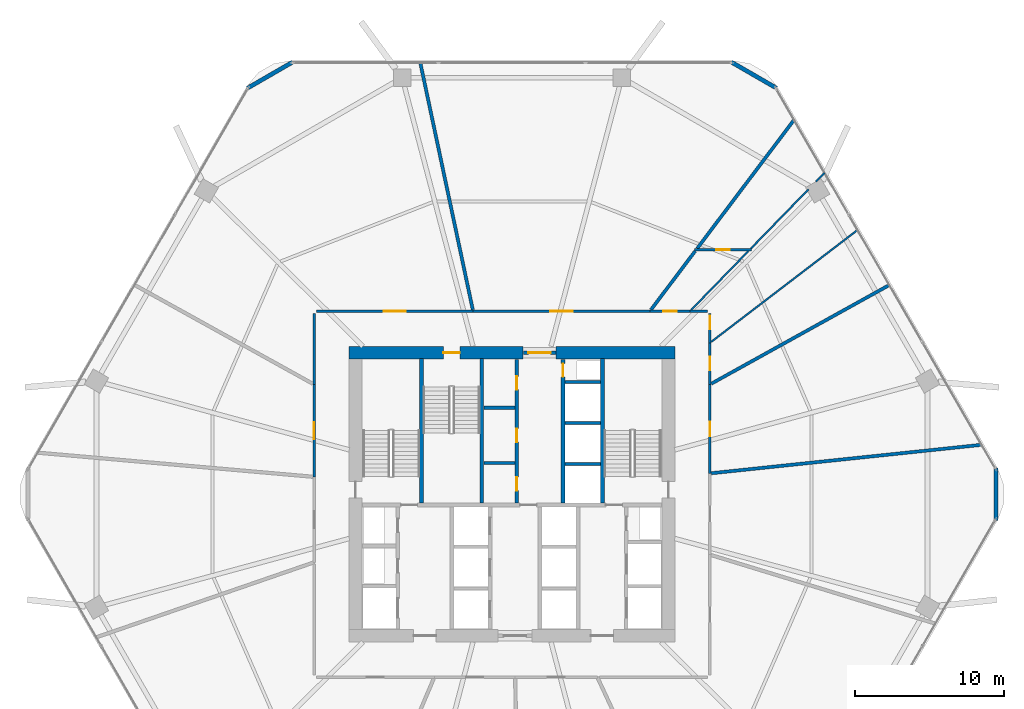
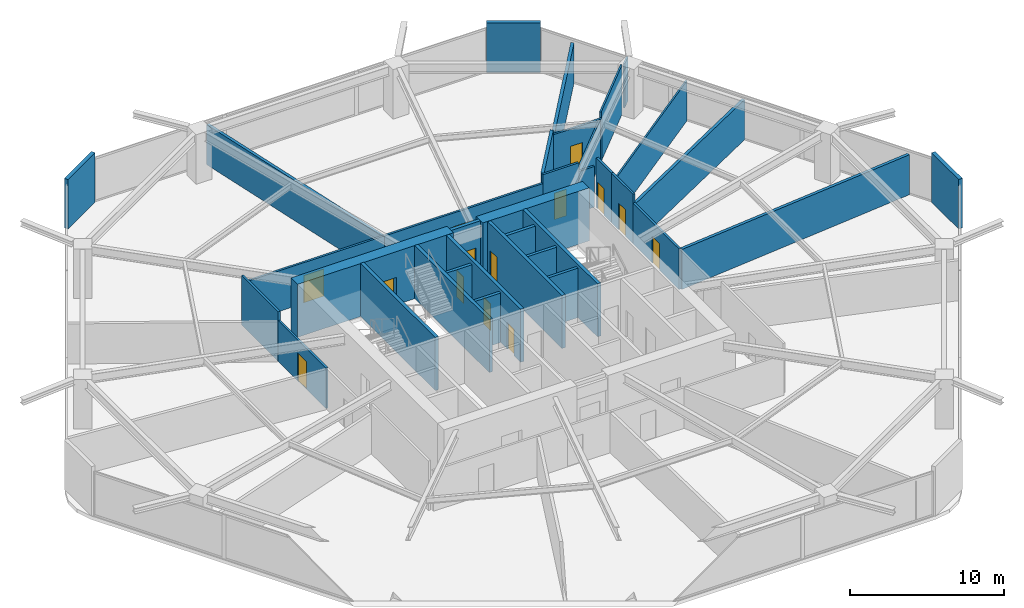
# One storey, part 23 of 25: 35 walls, 14 doors, 14 openings.
"""IFC4 building model written with IfcOpenShell, lengths in metres."""

import ifcopenshell
import ifcopenshell.guid

model = None  # the IFC model being written
_history = None  # IfcOwnerHistory: only IFC2X3 demands one
_inside = {}  # id of a spatial element -> (the spatial element, [elements in it])
_under = {}  # id of a project, library or spatial element -> (it, [spatial elements below it])
_declared = {}  # id of a project -> (the project, [libraries it declares])
_typed = {}  # id of a type object -> (the type object, [elements of that type])
_made_of = {}  # id of a material, layer set ... -> (it, [elements and type objects made of it])


def new_model(schema):
    """Start an empty IFC model of exactly this schema.

    Asked for "IFC4X3", IfcOpenShell would pick the latest addendum, in which some entities
    have other attributes; the version numbers below select the first issue.
    IFC2X3 requires an IfcOwnerHistory on every rooted entity: one is made here for all.
    """
    global model, _history
    if schema == "IFC4X3":
        model = ifcopenshell.file(schema_version=(4, 3, 0, 0))
    else:
        model = ifcopenshell.file(schema=schema)
    _inside.clear()
    _under.clear()
    _declared.clear()
    _typed.clear()
    _made_of.clear()
    _history = None
    if model.schema == "IFC2X3":
        org = make("IfcOrganization", Name="unknown")
        user = make(
            "IfcPersonAndOrganization",
            ThePerson=make("IfcPerson", FamilyName="unknown"),
            TheOrganization=org,
        )
        app = make(
            "IfcApplication",
            ApplicationDeveloper=org,
            Version="unknown",
            ApplicationFullName="unknown",
            ApplicationIdentifier="unknown",
        )
        _history = make(
            "IfcOwnerHistory",
            OwningUser=user,
            OwningApplication=app,
            ChangeAction="ADDED",
            CreationDate=0,
        )
    return model


def make(cls, **values):
    """One entity of the class cls with the attributes given. An attribute that is None is left unset."""
    return model.create_entity(
        cls, **{name: value for name, value in values.items() if value is not None}
    )


def rooted(cls, **values):
    """An entity with a GlobalId (a new one), such as an element, a storey or a relation."""
    return make(cls, GlobalId=ifcopenshell.guid.new(), OwnerHistory=_history, **values)


def si_unit(unit_type, name, prefix=None):
    """IfcSIUnit, for example si_unit("LENGTHUNIT", "METRE", prefix="MILLI")."""
    return make("IfcSIUnit", UnitType=unit_type, Prefix=prefix, Name=name)


def assignment(units):
    """IfcUnitAssignment: the units of a project."""
    return None if units is None else make("IfcUnitAssignment", Units=units)


def point(xyz):
    """IfcCartesianPoint."""
    return None if xyz is None else make("IfcCartesianPoint", Coordinates=xyz)


def direction(xyz):
    """IfcDirection."""
    return None if xyz is None else make("IfcDirection", DirectionRatios=xyz)


def frame(location, z_axis=None, x_axis=None):
    """IfcAxis2Placement3D, a coordinate frame: its origin and axes. An axis left out is left unset."""
    return make(
        "IfcAxis2Placement3D",
        Location=point(location),
        Axis=direction(z_axis),
        RefDirection=direction(x_axis),
    )


def frame_2d(location, x_axis=None):
    """IfcAxis2Placement2D, a coordinate frame in the plane: its origin and x axis."""
    return make(
        "IfcAxis2Placement2D", Location=point(location), RefDirection=direction(x_axis)
    )


def origin():
    """The frame at (0, 0, 0) with its axes left unset."""
    return frame((0.0, 0.0, 0.0))


def place(relative_to, where):
    """IfcLocalPlacement: puts the frame where relative to a parent placement (None: the world)."""
    return make(
        "IfcLocalPlacement", PlacementRelTo=relative_to, RelativePlacement=where
    )


def context(
    kind, dimensions, precision=None, world=None, true_north=None, identifier=None
):
    """IfcGeometricRepresentationContext, for example the 3D "Model" context."""
    return make(
        "IfcGeometricRepresentationContext",
        ContextIdentifier=identifier,
        ContextType=kind,
        CoordinateSpaceDimension=dimensions,
        Precision=precision,
        WorldCoordinateSystem=world,
        TrueNorth=true_north,
    )


def subcontext(parent, identifier, kind, view, scale=None):
    """IfcGeometricRepresentationSubContext, for example "Body" below "Model"."""
    return make(
        "IfcGeometricRepresentationSubContext",
        ContextIdentifier=identifier,
        ContextType=kind,
        ParentContext=parent,
        TargetScale=scale,
        TargetView=view,
    )


def project(units=None, contexts=None):
    """IfcProject with its units and contexts."""
    return rooted(
        "IfcProject",
        Name="project",
        RepresentationContexts=contexts,
        UnitsInContext=assignment(units),
    )


def spatial(cls, under=None, at=None, **own):
    """A site, building, storey or space (cls), placed at a placement, below another one or the project."""
    s = rooted(cls, ObjectPlacement=at, **own)
    if under is not None:
        _under.setdefault(under.id(), (under, []))[1].append(s)
    return s


def profile(cls, at=None, kind="AREA", **sizes):
    """A parametric profile (cls). Its sizes go by their IFC names, for example OverallWidth=200.0."""
    return make(cls, ProfileType=kind, Position=at, **sizes)


def rectangle(**sizes):
    """IfcRectangleProfileDef."""
    return profile("IfcRectangleProfileDef", **sizes)


def extrude(swept, where, along, depth):
    """IfcExtrudedAreaSolid: the profile swept, set in the frame where, extruded along a direction by depth."""
    return make(
        "IfcExtrudedAreaSolid",
        SweptArea=swept,
        Position=where,
        ExtrudedDirection=direction(along),
        Depth=depth,
    )


def shape(context_of_items, identifier, shape_type, items):
    """IfcShapeRepresentation: the items that make up one representation, for example the "Body"."""
    return make(
        "IfcShapeRepresentation",
        ContextOfItems=context_of_items,
        RepresentationIdentifier=identifier,
        RepresentationType=shape_type,
        Items=items,
    )


def material(Name=None, Category=None):
    """IfcMaterial."""
    return make("IfcMaterial", Name=Name, Category=Category)


def layer(
    of_material, thickness, ventilated=None, Name=None, Category=None, Priority=None
):
    """IfcMaterialLayer: one layer of a wall or slab, of a material (None: an air gap)."""
    return make(
        "IfcMaterialLayer",
        Material=of_material,
        LayerThickness=thickness,
        IsVentilated=ventilated,
        Name=Name,
        Category=Category,
        Priority=Priority,
    )


def layer_set(layers, Name=None):
    """IfcMaterialLayerSet."""
    return make("IfcMaterialLayerSet", MaterialLayers=layers, LayerSetName=Name)


def made_of(thing, what):
    """Note that an element or type object is made of a material, layer set ...; save() writes the relation."""
    if what is not None:
        _made_of.setdefault(what.id(), (what, []))[1].append(thing)
    return thing


def type_object(cls, material=None, **own):
    """A type object (cls), such as IfcWallType, which elements share."""
    return made_of(rooted(cls, **own), material)


def element(
    cls,
    number,
    at=None,
    inside=None,
    cuts=None,
    type_object=None,
    material=None,
    context=None,
    identifier="Body",
    shape_type=None,
    held_by="IfcProductDefinitionShape",
    body=None,
    shapes=None,
    **own,
):
    """One element of the class cls, such as IfcWall. Its Tag is "e" and its number.

    at: its placement. inside: the storey or other place that contains it. cuts: it is an
    opening in that element (IfcRelVoidsElement). A single representation is given by context,
    identifier, shape_type and body (its items); several are given by shapes. held_by: the class
    of the entity that holds the representations. save() writes the other relations.
    """
    e = rooted(cls, Tag="e%d" % number, ObjectPlacement=at, **own)
    if body is not None:
        shapes = [shape(context, identifier, shape_type, body)]
    if shapes is not None:
        e.Representation = make(held_by, Representations=shapes)
    if inside is not None:
        _inside.setdefault(inside.id(), (inside, []))[1].append(e)
    if cuts is not None:
        rooted(
            "IfcRelVoidsElement", RelatingBuildingElement=cuts, RelatedOpeningElement=e
        )
    if type_object is not None:
        _typed.setdefault(type_object.id(), (type_object, []))[1].append(e)
    return made_of(e, material)


def fill(opening, filler):
    """IfcRelFillsElement: the door or window that sits in an opening."""
    return rooted(
        "IfcRelFillsElement",
        RelatingOpeningElement=opening,
        RelatedBuildingElement=filler,
    )


def aggregate(whole, parts):
    """IfcRelAggregates: a whole, such as a stair, and the parts it consists of."""
    return rooted("IfcRelAggregates", RelatingObject=whole, RelatedObjects=parts)


def save(model, path):
    """Write the relations noted so far, then the file.

    IfcRelAggregates (storeys below a building ...), IfcRelContainedInSpatialStructure (elements
    in a storey), IfcRelDefinesByType, IfcRelAssociatesMaterial and IfcRelDeclares: one each for
    every whole, place, type object, material and project.
    """
    for whole, parts in _under.values():
        aggregate(whole, parts)
    for where, things in _inside.values():
        rooted(
            "IfcRelContainedInSpatialStructure",
            RelatedElements=things,
            RelatingStructure=where,
        )
    for kind, things in _typed.values():
        rooted("IfcRelDefinesByType", RelatedObjects=things, RelatingType=kind)
    for what, things in _made_of.values():
        rooted("IfcRelAssociatesMaterial", RelatedObjects=things, RelatingMaterial=what)
    for by, libraries in _declared.values():
        rooted("IfcRelDeclares", RelatingContext=by, RelatedDefinitions=libraries)
    model.write(path)


model = new_model("IFC4")

# Units and contexts
model_context = context("Model", 3, precision=1e-05, world=origin(), true_north=direction((0.0, 1.0)))
body_context = subcontext(model_context, "Body", "Model", "MODEL_VIEW")
ifc_project = project(units=[si_unit("LENGTHUNIT", "METRE"), si_unit("AREAUNIT", "SQUARE_METRE"), si_unit("VOLUMEUNIT", "CUBIC_METRE"), si_unit("PLANEANGLEUNIT", "RADIAN"), si_unit("MASSUNIT", "GRAM", prefix="KILO")], contexts=[model_context])

# Site, building, storey
site_placement = place(None, origin())
site = spatial("IfcSite", under=ifc_project, at=site_placement, CompositionType="ELEMENT")
building_placement = place(site_placement, origin())
building = spatial("IfcBuilding", under=site, at=building_placement, Name="Zuhravey Tower", CompositionType="ELEMENT")
storey_placement = place(building_placement, frame((0.0, 0.0, 54.0)))
storey = spatial("IfcBuildingStorey", under=building, at=storey_placement, Name="L13", CompositionType="ELEMENT", Elevation=54.0)

# Wall
ifc_material_1 = material(Name="Concrete C60/75", Category="concrete")
ifc_layer_1 = layer(ifc_material_1, 0.85009765625)
ifc_layer_set_1 = layer_set([ifc_layer_1], Name="Concrete C60/75")
wall_type_1 = type_object("IfcWallType", Name="Core Shear Wall 850", PredefinedType="SHEAR", material=ifc_layer_set_1)
wall_1_placement = place(storey_placement, frame((46.925048828125, 41.5, 0.0), z_axis=(0.0, 0.0, 1.0), x_axis=(-1.0, 0.0, 0.0)))
element("IfcWall", 1, at=wall_1_placement, inside=storey, type_object=wall_type_1, Name="L13 North-East Core Shear Wall CW85", PredefinedType="SHEAR", context=body_context, shape_type="SweptSolid", body=[
    extrude(rectangle(XDim=7.97509765625, YDim=0.85009765625, at=frame_2d((3.987548828125, 0.0))), origin(), (0.0, 0.0, 1.0), 4.199951171875),
])

# Wall, opening, door
wall_2_placement = place(storey_placement, frame((36.75, 41.5, 0.0), z_axis=(0.0, 0.0, 1.0), x_axis=(-1.0, 0.0, 0.0)))
wall_2 = element("IfcWall", 2, at=wall_2_placement, inside=storey, type_object=wall_type_1, Name="L13 North-West Core Shear Wall CW85", PredefinedType="SHEAR", context=body_context, shape_type="SweptSolid", body=[
    extrude(rectangle(XDim=11.675048828125, YDim=0.85009765625, at=frame_2d((5.83740234375, 0.0))), origin(), (0.0, 0.0, 1.0), 4.199951171875),
])
opening_1_placement = place(wall_2_placement, frame((4.25, 0.0, 0.0)))
opening_1 = element("IfcOpeningElement", 3, at=opening_1_placement, cuts=wall_2, Name="Opening STD1", PredefinedType="OPENING", context=body_context, shape_type="SweptSolid", body=[
    extrude(rectangle(XDim=1.10009765625, YDim=2.14990234375, at=frame_2d((0.550048828125, 1.074951171875))), frame((0.0, 0.43701171875, 0.0), z_axis=(0.0, -1.0, 0.0), x_axis=(1.0, 0.0, 0.0)), (0.0, 0.0, 1.0), 0.8740234375),
])
ifc_material_2 = material(Name="Galvanised fire-rated steel leaf", Category="steel")
door_type_1 = type_object("IfcDoorType", Name="Protected Stair Fire Door 1100x2150", OperationType="NOTDEFINED", PredefinedType="USERDEFINED", material=ifc_material_2)
door_1_placement = place(opening_1_placement, origin())
door_1 = element("IfcDoor", 4, at=door_1_placement, inside=storey, type_object=door_type_1, Name="L13 Stair ST3 Door", ObjectType="EXITDOOR", OperationType="SINGLE_SWING_LEFT", OverallHeight=2.14990234375, OverallWidth=1.10009765625, PredefinedType="USERDEFINED", context=body_context, shape_type="SweptSolid", body=[
    extrude(rectangle(XDim=1.10009765625, YDim=2.14990234375, at=frame_2d((0.550048828125, 1.074951171875))), frame((0.0, 0.02490234375, 0.0), z_axis=(0.0, -1.0, 0.0), x_axis=(1.0, 0.0, 0.0)), (0.0, 0.0, 1.0), 0.050048828125),
])
fill(opening_1, door_1)

ifc_material_3 = material(Name="Gypsum fire-rated stud partition")
ifc_layer_2 = layer(ifc_material_3, 0.159912109375)
ifc_layer_set_2 = layer_set([ifc_layer_2], Name="Gypsum fire-rated stud partition")
wall_type_2 = type_object("IfcWallType", Name="Corridor Fire Partition 160", PredefinedType="PARTITIONING", material=ifc_layer_set_2)
wall_3_placement = place(storey_placement, frame((49.284912109375, 39.364013671875, 0.0), z_axis=(0.0, 0.0, 1.0), x_axis=(0.0, 1.0, 0.0)))
wall_3 = element("IfcWall", 5, at=wall_3_placement, inside=storey, type_object=wall_type_2, Name="L13 IW16 Partition 019", PredefinedType="PARTITIONING", context=body_context, shape_type="SweptSolid", body=[
    extrude(rectangle(XDim=2.79296875, YDim=0.159912109375, at=frame_2d((1.396484375, 0.0))), origin(), (0.0, 0.0, 1.0), 3.919921875),
])
opening_2_placement = place(wall_3_placement, frame((0.946533203125, 0.0, 0.0)))
opening_2 = element("IfcOpeningElement", 6, at=opening_2_placement, cuts=wall_3, Name="Opening RSD1", PredefinedType="OPENING", context=body_context, shape_type="SweptSolid", body=[
    extrude(rectangle(XDim=0.89990234375, YDim=2.10009765625, at=frame_2d((0.449951171875, 1.050048828125))), frame((0.0, 0.092041015625, 0.0), z_axis=(0.0, -1.0, 0.0), x_axis=(1.0, 0.0, 0.0)), (0.0, 0.0, 1.0), 0.183837890625),
])
ifc_material_4 = material(Name="Galvanised fire-rated steel access leaf", Category="steel")
door_type_2 = type_object("IfcDoorType", Name="Riser & Shaft Access Fire Door 900x2100", OperationType="NOTDEFINED", PredefinedType="DOOR", material=ifc_material_4)
door_2_placement = place(opening_2_placement, frame((0.89990234375, 0.0, 0.0), z_axis=(0.0, 0.0, 1.0), x_axis=(-1.0, 0.0, 0.0)))
door_2 = element("IfcDoor", 7, at=door_2_placement, inside=storey, type_object=door_type_2, Name="L13 Door 019.1", OperationType="SINGLE_SWING_RIGHT", OverallHeight=2.10009765625, OverallWidth=0.89990234375, PredefinedType="DOOR", context=body_context, shape_type="SweptSolid", body=[
    extrude(rectangle(XDim=0.89990234375, YDim=2.10009765625, at=frame_2d((0.449951171875, 1.050048828125))), frame((0.0, 0.02490234375, 0.0), z_axis=(0.0, -1.0, 0.0), x_axis=(1.0, 0.0, 0.0)), (0.0, 0.0, 1.0), 0.050048828125),
])
fill(opening_2, door_2)

wall_4_placement = place(storey_placement, frame((49.284912109375, 42.156982421875, 0.0), z_axis=(0.0, 0.0, 1.0), x_axis=(0.0, 1.0, 0.0)))
wall_4 = element("IfcWall", 8, at=wall_4_placement, inside=storey, type_object=wall_type_2, Name="L13 IW16 Partition 020", PredefinedType="PARTITIONING", context=body_context, shape_type="SweptSolid", body=[
    extrude(rectangle(XDim=1.968017578125, YDim=0.159912109375, at=frame_2d((0.98388671875, 0.0))), origin(), (0.0, 0.0, 1.0), 3.919921875),
])
opening_3_placement = place(wall_4_placement, frame((0.927978515625, 0.0, 0.0)))
opening_3 = element("IfcOpeningElement", 9, at=opening_3_placement, cuts=wall_4, Name="Opening RSD1", PredefinedType="OPENING", context=body_context, shape_type="SweptSolid", body=[
    extrude(rectangle(XDim=0.89990234375, YDim=2.10009765625, at=frame_2d((0.449951171875, 1.050048828125))), frame((0.0, 0.092041015625, 0.0), z_axis=(0.0, -1.0, 0.0), x_axis=(1.0, 0.0, 0.0)), (0.0, 0.0, 1.0), 0.183837890625),
])
door_3_placement = place(opening_3_placement, frame((0.89990234375, 0.0, 0.0), z_axis=(0.0, 0.0, 1.0), x_axis=(-1.0, 0.0, 0.0)))
door_3 = element("IfcDoor", 10, at=door_3_placement, inside=storey, type_object=door_type_2, Name="L13 Door 020.1", OperationType="SINGLE_SWING_LEFT", OverallHeight=2.10009765625, OverallWidth=0.89990234375, PredefinedType="DOOR", context=body_context, shape_type="SweptSolid", body=[
    extrude(rectangle(XDim=0.89990234375, YDim=2.10009765625, at=frame_2d((0.449951171875, 1.050048828125))), frame((0.0, 0.02490234375, 0.0), z_axis=(0.0, -1.0, 0.0), x_axis=(1.0, 0.0, 0.0)), (0.0, 0.0, 1.0), 0.050048828125),
])
fill(opening_3, door_3)

wall_5_placement = place(storey_placement, frame((48.261962890625, 48.405029296875, 0.0), z_axis=(0.0, 0.0, 1.0), x_axis=(1.0, 0.0, 0.0)))
wall_5 = element("IfcWall", 11, at=wall_5_placement, inside=storey, type_object=wall_type_2, Name="L13 IW16 Partition 021", PredefinedType="PARTITIONING", context=body_context, shape_type="SweptSolid", body=[
    extrude(rectangle(XDim=3.802734375, YDim=0.159912109375, at=frame_2d((1.9013671875, 0.0))), origin(), (0.0, 0.0, 1.0), 3.469970703125),
])
opening_4_placement = place(wall_5_placement, frame((1.451416015625, 0.0, 0.0)))
opening_4 = element("IfcOpeningElement", 12, at=opening_4_placement, cuts=wall_5, Name="Opening RSD1", PredefinedType="OPENING", context=body_context, shape_type="SweptSolid", body=[
    extrude(rectangle(XDim=0.89990234375, YDim=2.10009765625, at=frame_2d((0.449951171875, 1.050048828125))), frame((0.0, 0.092041015625, 0.0), z_axis=(0.0, -1.0, 0.0), x_axis=(1.0, 0.0, 0.0)), (0.0, 0.0, 1.0), 0.183837890625),
])
door_4_placement = place(opening_4_placement, origin())
door_4 = element("IfcDoor", 13, at=door_4_placement, inside=storey, type_object=door_type_2, Name="L13 Door 021.1", OperationType="SINGLE_SWING_RIGHT", OverallHeight=2.10009765625, OverallWidth=0.89990234375, PredefinedType="DOOR", context=body_context, shape_type="SweptSolid", body=[
    extrude(rectangle(XDim=0.89990234375, YDim=2.10009765625, at=frame_2d((0.449951171875, 1.050048828125))), frame((0.0, 0.02490234375, 0.0), z_axis=(0.0, -1.0, 0.0), x_axis=(1.0, 0.0, 0.0)), (0.0, 0.0, 1.0), 0.050048828125),
])
fill(opening_4, door_4)

wall_6_placement = place(storey_placement, frame((47.946533203125, 44.284912109375, 0.0), z_axis=(0.0, 0.0, 1.0), x_axis=(-1.0, 0.0, 0.0)))
wall_6 = element("IfcWall", 14, at=wall_6_placement, inside=storey, type_object=wall_type_2, Name="L13 IW16 Partition 022", PredefinedType="PARTITIONING", context=body_context, shape_type="SweptSolid", body=[
    extrude(rectangle(XDim=2.689208984375, YDim=0.159912109375, at=frame_2d((1.3447265625, 0.0))), origin(), (0.0, 0.0, 1.0), 3.919921875),
])
opening_5_placement = place(wall_6_placement, frame((0.89453125, 0.0, 0.0)))
opening_5 = element("IfcOpeningElement", 15, at=opening_5_placement, cuts=wall_6, Name="Opening RSD1", PredefinedType="OPENING", context=body_context, shape_type="SweptSolid", body=[
    extrude(rectangle(XDim=0.89990234375, YDim=2.10009765625, at=frame_2d((0.449951171875, 1.050048828125))), frame((0.0, 0.092041015625, 0.0), z_axis=(0.0, -1.0, 0.0), x_axis=(1.0, 0.0, 0.0)), (0.0, 0.0, 1.0), 0.183837890625),
])
door_5_placement = place(opening_5_placement, frame((0.89990234375, 0.0, 0.0), z_axis=(0.0, 0.0, 1.0), x_axis=(-1.0, 0.0, 0.0)))
door_5 = element("IfcDoor", 16, at=door_5_placement, inside=storey, type_object=door_type_2, Name="L13 Door 022.1", OperationType="SINGLE_SWING_LEFT", OverallHeight=2.10009765625, OverallWidth=0.89990234375, PredefinedType="DOOR", context=body_context, shape_type="SweptSolid", body=[
    extrude(rectangle(XDim=0.89990234375, YDim=2.10009765625, at=frame_2d((0.449951171875, 1.050048828125))), frame((0.0, 0.02490234375, 0.0), z_axis=(0.0, -1.0, 0.0), x_axis=(1.0, 0.0, 0.0)), (0.0, 0.0, 1.0), 0.050048828125),
])
fill(opening_5, door_5)

wall_7_placement = place(storey_placement, frame((45.25732421875, 44.284912109375, 0.0), z_axis=(0.0, 0.0, 1.0), x_axis=(-1.0, 0.0, 0.0)))
wall_7 = element("IfcWall", 17, at=wall_7_placement, inside=storey, type_object=wall_type_2, Name="L13 IW16 Partition 023", PredefinedType="PARTITIONING", context=body_context, shape_type="SweptSolid", body=[
    extrude(rectangle(XDim=11.86865234375, YDim=0.159912109375, at=frame_2d((5.934326171875, 0.0))), origin(), (0.0, 0.0, 1.0), 3.219970703125),
])
opening_6_placement = place(wall_7_placement, frame((5.184326171875, 0.0, 0.0)))
opening_6 = element("IfcOpeningElement", 18, at=opening_6_placement, cuts=wall_7, Name="Opening FFD1", PredefinedType="OPENING", context=body_context, shape_type="SweptSolid", body=[
    extrude(rectangle(XDim=1.5, YDim=2.14990234375, at=frame_2d((0.75, 1.074951171875))), frame((0.0, 0.092041015625, 0.0), z_axis=(0.0, -1.0, 0.0), x_axis=(1.0, 0.0, 0.0)), (0.0, 0.0, 1.0), 0.183837890625),
])
door_type_3 = type_object("IfcDoorType", Name="Firefighting Lobby Double Door 1500x2150", OperationType="DOUBLE_DOOR_SINGLE_SWING", PredefinedType="DOOR", material=ifc_material_2)
door_6_placement = place(opening_6_placement, frame((1.5, 0.0, 0.0), z_axis=(0.0, 0.0, 1.0), x_axis=(-1.0, 0.0, 0.0)))
door_6 = element("IfcDoor", 19, at=door_6_placement, inside=storey, type_object=door_type_3, Name="L13 Door 023.1", OperationType="DOUBLE_DOOR_SINGLE_SWING", OverallHeight=2.14990234375, OverallWidth=1.5, PredefinedType="DOOR", context=body_context, shape_type="SweptSolid", body=[
    extrude(rectangle(XDim=1.5, YDim=2.14990234375, at=frame_2d((0.75, 1.074951171875))), frame((0.0, 0.02490234375, 0.0), z_axis=(0.0, -1.0, 0.0), x_axis=(1.0, 0.0, 0.0)), (0.0, 0.0, 1.0), 0.050048828125),
])
fill(opening_6, door_6)

wall_8_placement = place(storey_placement, frame((33.388671875, 44.284912109375, 0.0), z_axis=(0.0, 0.0, 1.0), x_axis=(-1.0, 0.0, 0.0)))
wall_8 = element("IfcWall", 20, at=wall_8_placement, inside=storey, type_object=wall_type_2, Name="L13 IW16 Partition 024", PredefinedType="PARTITIONING", context=body_context, shape_type="SweptSolid", body=[
    extrude(rectangle(XDim=10.513671875, YDim=0.159912109375, at=frame_2d((5.2568359375, 0.0))), origin(), (0.0, 0.0, 1.0), 3.219970703125),
])
opening_7_placement = place(wall_8_placement, frame((4.5068359375, 0.0, 0.0)))
opening_7 = element("IfcOpeningElement", 21, at=opening_7_placement, cuts=wall_8, Name="Opening FFD1", PredefinedType="OPENING", context=body_context, shape_type="SweptSolid", body=[
    extrude(rectangle(XDim=1.5, YDim=2.14990234375, at=frame_2d((0.75, 1.074951171875))), frame((0.0, 0.092041015625, 0.0), z_axis=(0.0, -1.0, 0.0), x_axis=(1.0, 0.0, 0.0)), (0.0, 0.0, 1.0), 0.183837890625),
])
door_7_placement = place(opening_7_placement, frame((1.5, 0.0, 0.0), z_axis=(0.0, 0.0, 1.0), x_axis=(-1.0, 0.0, 0.0)))
door_7 = element("IfcDoor", 22, at=door_7_placement, inside=storey, type_object=door_type_3, Name="L13 Door 024.1", OperationType="DOUBLE_DOOR_SINGLE_SWING", OverallHeight=2.14990234375, OverallWidth=1.5, PredefinedType="DOOR", context=body_context, shape_type="SweptSolid", body=[
    extrude(rectangle(XDim=1.5, YDim=2.14990234375, at=frame_2d((0.75, 1.074951171875))), frame((0.0, 0.02490234375, 0.0), z_axis=(0.0, -1.0, 0.0), x_axis=(1.0, 0.0, 0.0)), (0.0, 0.0, 1.0), 0.050048828125),
])
fill(opening_7, door_7)

wall_9_placement = place(storey_placement, frame((22.715087890625, 39.364013671875, 0.0), z_axis=(0.0, 0.0, 1.0), x_axis=(0.0, -1.0, 0.0)))
wall_9 = element("IfcWall", 23, at=wall_9_placement, inside=storey, type_object=wall_type_2, Name="L13 IW16 Partition 025", PredefinedType="PARTITIONING", context=body_context, shape_type="SweptSolid", body=[
    extrude(rectangle(XDim=6.20166015625, YDim=0.159912109375, at=frame_2d((3.100830078125, 0.0))), origin(), (0.0, 0.0, 1.0), 3.219970703125),
])
opening_8_placement = place(wall_9_placement, frame((2.52587890625, 0.0, 0.0)))
opening_8 = element("IfcOpeningElement", 24, at=opening_8_placement, cuts=wall_9, Name="Opening CLD1", PredefinedType="OPENING", context=body_context, shape_type="SweptSolid", body=[
    extrude(rectangle(XDim=1.14990234375, YDim=2.199951171875, at=frame_2d((0.574951171875, 1.10009765625))), frame((0.0, 0.092041015625, 0.0), z_axis=(0.0, -1.0, 0.0), x_axis=(1.0, 0.0, 0.0)), (0.0, 0.0, 1.0), 0.183837890625),
])
ifc_material_5 = material(Name="Acoustic timber leaf with vision lite", Category="wood")
door_type_4 = type_object("IfcDoorType", Name="Classroom Acoustic Door 1150x2200", OperationType="NOTDEFINED", PredefinedType="DOOR", material=ifc_material_5)
door_8_placement = place(opening_8_placement, frame((1.14990234375, 0.0, 0.0), z_axis=(0.0, 0.0, 1.0), x_axis=(-1.0, 0.0, 0.0)))
door_8 = element("IfcDoor", 25, at=door_8_placement, inside=storey, type_object=door_type_4, Name="L13 Door 025.1", OperationType="SINGLE_SWING_RIGHT", OverallHeight=2.199951171875, OverallWidth=1.14990234375, PredefinedType="DOOR", context=body_context, shape_type="SweptSolid", body=[
    extrude(rectangle(XDim=1.14990234375, YDim=2.199951171875, at=frame_2d((0.574951171875, 1.10009765625))), frame((0.0, 0.02490234375, 0.0), z_axis=(0.0, -1.0, 0.0), x_axis=(1.0, 0.0, 0.0)), (0.0, 0.0, 1.0), 0.050048828125),
])
fill(opening_8, door_8)

wall_10_placement = place(storey_placement, frame((49.284912109375, 33.396240234375, 0.0), z_axis=(0.0, 0.0, 1.0), x_axis=(0.0, 1.0, 0.0)))
wall_10 = element("IfcWall", 26, at=wall_10_placement, inside=storey, type_object=wall_type_2, Name="L13 IW16 Partition 032", PredefinedType="PARTITIONING", context=body_context, shape_type="SweptSolid", body=[
    extrude(rectangle(XDim=5.9677734375, YDim=0.159912109375, at=frame_2d((2.98388671875, 0.0))), origin(), (0.0, 0.0, 1.0), 3.219970703125),
])
opening_9_placement = place(wall_10_placement, frame((2.5087890625, 0.0, 0.0)))
opening_9 = element("IfcOpeningElement", 27, at=opening_9_placement, cuts=wall_10, Name="Opening IND1", PredefinedType="OPENING", context=body_context, shape_type="SweptSolid", body=[
    extrude(rectangle(XDim=0.949951171875, YDim=2.10009765625, at=frame_2d((0.47509765625, 1.050048828125))), frame((0.0, 0.092041015625, 0.0), z_axis=(0.0, -1.0, 0.0), x_axis=(1.0, 0.0, 0.0)), (0.0, 0.0, 1.0), 0.183837890625),
])
ifc_material_6 = material(Name="Painted engineered timber leaf", Category="wood")
door_type_5 = type_object("IfcDoorType", Name="Internal Room & Bedroom Door 950x2100", OperationType="NOTDEFINED", PredefinedType="DOOR", material=ifc_material_6)
door_9_placement = place(opening_9_placement, frame((0.949951171875, 0.0, 0.0), z_axis=(0.0, 0.0, 1.0), x_axis=(-1.0, 0.0, 0.0)))
door_9 = element("IfcDoor", 28, at=door_9_placement, inside=storey, type_object=door_type_5, Name="L13 Door 032.1", OperationType="SINGLE_SWING_LEFT", OverallHeight=2.10009765625, OverallWidth=0.949951171875, PredefinedType="DOOR", context=body_context, shape_type="SweptSolid", body=[
    extrude(rectangle(XDim=0.949951171875, YDim=2.10009765625, at=frame_2d((0.47509765625, 1.050048828125))), frame((0.0, 0.02490234375, 0.0), z_axis=(0.0, -1.0, 0.0), x_axis=(1.0, 0.0, 0.0)), (0.0, 0.0, 1.0), 0.050048828125),
])
fill(opening_9, door_9)

# Walls
wall_11_placement = place(storey_placement, frame((49.125, 44.284912109375, 0.0), z_axis=(0.0, 0.0, 1.0), x_axis=(-1.0, 0.0, 0.0)))
element("IfcWall", 29, at=wall_11_placement, inside=storey, type_object=wall_type_2, Name="L13 IW16 Partition 044", PredefinedType="PARTITIONING", context=body_context, shape_type="SweptSolid", body=[
    extrude(rectangle(XDim=1.178466796875, YDim=0.159912109375, at=frame_2d((0.58935546875, 0.0))), origin(), (0.0, 0.0, 1.0), 3.219970703125),
])
wall_12_placement = place(storey_placement, frame((22.715087890625, 44.125, 0.0), z_axis=(0.0, 0.0, 1.0), x_axis=(0.0, -1.0, 0.0)))
element("IfcWall", 30, at=wall_12_placement, inside=storey, type_object=wall_type_2, Name="L13 IW16 Partition 051", PredefinedType="PARTITIONING", context=body_context, shape_type="SweptSolid", body=[
    extrude(rectangle(XDim=4.760986328125, YDim=0.159912109375, at=frame_2d((2.38037109375, 0.0))), origin(), (0.0, 0.0, 1.0), 3.919921875),
])
ifc_material_7 = material(Name="Precast concrete C40/50", Category="concrete")
ifc_layer_3 = layer(ifc_material_7, 0.280029296875)
ifc_layer_set_3 = layer_set([ifc_layer_3], Name="Precast concrete C40/50")
wall_type_3 = type_object("IfcWallType", Name="Crown Architectural Wall 280", PredefinedType="SOLIDWALL", material=ifc_layer_set_3)
for number, where, z_axis, x_axis, name in (
    (31, (18.23876953125, 59.24853515625, 0.0), (0.0, 0.0, 1.0), (0.866007452331, 0.500031091541, 0.0), "L13 Rounded Corner Closure Wall EW28-08"),
    (32, (50.71728515625, 61.006103515625, 0.0), (0.0, 0.0, 1.0), (0.866007452331, -0.500031091541, 0.0), "L13 Rounded Corner Closure Wall EW28-10"),
):
    element("IfcWall", number, at=place(storey_placement, frame(where, z_axis=z_axis, x_axis=x_axis)), inside=storey, type_object=wall_type_3, Name=name, PredefinedType="SOLIDWALL", context=body_context, shape_type="SweptSolid", body=[
        extrude(rectangle(XDim=3.514892578125, YDim=0.280029296875, at=frame_2d((1.75732421875, 0.0))), origin(), (0.0, 0.0, 1.0), 3.919921875),
    ])
wall_13_placement = place(storey_placement, frame((68.478515625, 33.757568359375, 0.0), z_axis=(0.0, 0.0, 1.0), x_axis=(0.0, -1.0, 0.0)))
element("IfcWall", 33, at=wall_13_placement, inside=storey, type_object=wall_type_3, Name="L13 Rounded Corner Closure Wall EW28-12", PredefinedType="SOLIDWALL", context=body_context, shape_type="SweptSolid", body=[
    extrude(rectangle(XDim=3.51513671875, YDim=0.280029296875, at=frame_2d((1.757568359375, 0.0))), origin(), (0.0, 0.0, 1.0), 3.919921875),
])

# Wall, opening, door
ifc_material_8 = material(Name="Concrete C50/60", Category="concrete")
ifc_layer_4 = layer(ifc_material_8, 0.25)
ifc_layer_set_4 = layer_set([ifc_layer_4], Name="Concrete C50/60")
wall_type_4 = type_object("IfcWallType", Name="Firefighting Shaft & Stair Wall 250", PredefinedType="SOLIDWALL", material=ifc_layer_set_4)
wall_14_placement = place(storey_placement, frame((36.760009765625, 41.5, 0.0), z_axis=(0.0, 0.0, 1.0), x_axis=(1.0, 0.0, 0.0)))
wall_14 = element("IfcWall", 34, at=wall_14_placement, inside=storey, type_object=wall_type_4, Name="L13 FW25 Shaft Wall 002", PredefinedType="SOLIDWALL", context=body_context, shape_type="SweptSolid", body=[
    extrude(rectangle(XDim=2.179931640625, YDim=0.25, at=frame_2d((1.08984375, 0.0))), origin(), (0.0, 0.0, 1.0), 4.199951171875),
])
opening_10_placement = place(wall_14_placement, frame((0.340087890625, 0.0, 0.0)))
opening_10 = element("IfcOpeningElement", 35, at=opening_10_placement, cuts=wall_14, Name="Opening FFD1", PredefinedType="OPENING", context=body_context, shape_type="SweptSolid", body=[
    extrude(rectangle(XDim=1.5, YDim=2.14990234375, at=frame_2d((0.75, 1.074951171875))), frame((0.0, 0.136962890625, 0.0), z_axis=(0.0, -1.0, 0.0), x_axis=(1.0, 0.0, 0.0)), (0.0, 0.0, 1.0), 0.27392578125),
])
door_10_placement = place(opening_10_placement, origin())
door_10 = element("IfcDoor", 36, at=door_10_placement, inside=storey, type_object=door_type_3, Name="L13 North Lift Lobby Exit Door", OperationType="DOUBLE_DOOR_SINGLE_SWING", OverallHeight=2.14990234375, OverallWidth=1.5, PredefinedType="DOOR", context=body_context, shape_type="SweptSolid", body=[
    extrude(rectangle(XDim=1.5, YDim=2.14990234375, at=frame_2d((0.75, 1.074951171875))), frame((0.0, 0.02490234375, 0.0), z_axis=(0.0, -1.0, 0.0), x_axis=(1.0, 0.0, 0.0)), (0.0, 0.0, 1.0), 0.050048828125),
])
fill(opening_10, door_10)

# Walls
for number, where, z_axis, x_axis, name in (
    (37, (29.925048828125, 31.39990234375, 0.0), (0.0, 0.0, 1.0), (0.0, 1.0, 0.0), "L13 FW25 Shaft Wall 004"),
    (38, (33.97509765625, 31.39990234375, 0.0), (0.0, 0.0, 1.0), (0.0, 1.0, 0.0), "L13 FW25 Shaft Wall 005"),
    (39, (42.074951171875, 31.39990234375, 0.0), (0.0, 0.0, 1.0), (0.0, 1.0, 0.0), "L13 FW25 Shaft Wall 006"),
):
    element("IfcWall", number, at=place(storey_placement, frame(where, z_axis=z_axis, x_axis=x_axis)), inside=storey, type_object=wall_type_4, Name=name, PredefinedType="SOLIDWALL", context=body_context, shape_type="SweptSolid", body=[
        extrude(rectangle(XDim=9.7001953125, YDim=0.25, at=frame_2d((4.85009765625, 0.0))), origin(), (0.0, 0.0, 1.0), 4.199951171875),
    ])

# Wall, openings, doors
wall_15_placement = place(storey_placement, frame((36.324951171875, 31.39990234375, 0.0), z_axis=(0.0, 0.0, 1.0), x_axis=(0.0, 1.0, 0.0)))
wall_15 = element("IfcWall", 40, at=wall_15_placement, inside=storey, type_object=wall_type_4, Name="L13 FW25 Shaft Wall 007", PredefinedType="SOLIDWALL", context=body_context, shape_type="SweptSolid", body=[
    extrude(rectangle(XDim=9.650146484375, YDim=0.25, at=frame_2d((4.8251953125, 0.0))), origin(), (0.0, 0.0, 1.0), 4.199951171875),
])
opening_11_placement = place(wall_15_placement, frame((0.840087890625, 0.0, 0.0)))
opening_11 = element("IfcOpeningElement", 41, at=opening_11_placement, cuts=wall_15, Name="Opening RSD1", PredefinedType="OPENING", context=body_context, shape_type="SweptSolid", body=[
    extrude(rectangle(XDim=0.89990234375, YDim=2.10009765625, at=frame_2d((0.449951171875, 1.050048828125))), frame((0.0, 0.136962890625, 0.0), z_axis=(0.0, -1.0, 0.0), x_axis=(1.0, 0.0, 0.0)), (0.0, 0.0, 1.0), 0.27392578125),
])
opening_12_placement = place(wall_15_placement, frame((4.10009765625, 0.0, 0.0)))
opening_12 = element("IfcOpeningElement", 42, at=opening_12_placement, cuts=wall_15, Name="Opening RSD1", PredefinedType="OPENING", context=body_context, shape_type="SweptSolid", body=[
    extrude(rectangle(XDim=0.89990234375, YDim=2.10009765625, at=frame_2d((0.449951171875, 1.050048828125))), frame((0.0, 0.136962890625, 0.0), z_axis=(0.0, -1.0, 0.0), x_axis=(1.0, 0.0, 0.0)), (0.0, 0.0, 1.0), 0.27392578125),
])
opening_13_placement = place(wall_15_placement, frame((7.610107421875, 0.0, 0.0)))
opening_13 = element("IfcOpeningElement", 43, at=opening_13_placement, cuts=wall_15, Name="Opening RSD1", PredefinedType="OPENING", context=body_context, shape_type="SweptSolid", body=[
    extrude(rectangle(XDim=0.89990234375, YDim=2.10009765625, at=frame_2d((0.449951171875, 1.050048828125))), frame((0.0, 0.136962890625, 0.0), z_axis=(0.0, -1.0, 0.0), x_axis=(1.0, 0.0, 0.0)), (0.0, 0.0, 1.0), 0.27392578125),
])
door_11_placement = place(opening_11_placement, origin())
door_11 = element("IfcDoor", 44, at=door_11_placement, inside=storey, type_object=door_type_2, Name="L13 Core Staff WC Door", OperationType="SINGLE_SWING_LEFT", OverallHeight=2.10009765625, OverallWidth=0.89990234375, PredefinedType="DOOR", context=body_context, shape_type="SweptSolid", body=[
    extrude(rectangle(XDim=0.89990234375, YDim=2.10009765625, at=frame_2d((0.449951171875, 1.050048828125))), frame((0.0, 0.02490234375, 0.0), z_axis=(0.0, -1.0, 0.0), x_axis=(1.0, 0.0, 0.0)), (0.0, 0.0, 1.0), 0.050048828125),
])
fill(opening_11, door_11)
door_12_placement = place(opening_12_placement, origin())
door_12 = element("IfcDoor", 45, at=door_12_placement, inside=storey, type_object=door_type_2, Name="L13 IT and Comms Room Door", OperationType="SINGLE_SWING_RIGHT", OverallHeight=2.10009765625, OverallWidth=0.89990234375, PredefinedType="DOOR", context=body_context, shape_type="SweptSolid", body=[
    extrude(rectangle(XDim=0.89990234375, YDim=2.10009765625, at=frame_2d((0.449951171875, 1.050048828125))), frame((0.0, 0.02490234375, 0.0), z_axis=(0.0, -1.0, 0.0), x_axis=(1.0, 0.0, 0.0)), (0.0, 0.0, 1.0), 0.050048828125),
])
fill(opening_12, door_12)
door_13_placement = place(opening_13_placement, origin())
door_13 = element("IfcDoor", 46, at=door_13_placement, inside=storey, type_object=door_type_2, Name="L13 Janitor Linen Store Door", OperationType="SINGLE_SWING_LEFT", OverallHeight=2.10009765625, OverallWidth=0.89990234375, PredefinedType="DOOR", context=body_context, shape_type="SweptSolid", body=[
    extrude(rectangle(XDim=0.89990234375, YDim=2.10009765625, at=frame_2d((0.449951171875, 1.050048828125))), frame((0.0, 0.02490234375, 0.0), z_axis=(0.0, -1.0, 0.0), x_axis=(1.0, 0.0, 0.0)), (0.0, 0.0, 1.0), 0.050048828125),
])
fill(opening_13, door_13)

# Wall, opening, door
wall_16_placement = place(storey_placement, frame((39.425048828125, 31.39990234375, 0.0), z_axis=(0.0, 0.0, 1.0), x_axis=(0.0, 1.0, 0.0)))
wall_16 = element("IfcWall", 47, at=wall_16_placement, inside=storey, type_object=wall_type_4, Name="L13 FW25 Shaft Wall 008", PredefinedType="SOLIDWALL", context=body_context, shape_type="SweptSolid", body=[
    extrude(rectangle(XDim=9.650146484375, YDim=0.25, at=frame_2d((4.8251953125, 0.0))), origin(), (0.0, 0.0, 1.0), 4.199951171875),
])
opening_14_placement = place(wall_16_placement, frame((8.469970703125, 0.0, 0.0)))
opening_14 = element("IfcOpeningElement", 48, at=opening_14_placement, cuts=wall_16, Name="Opening RSD1", PredefinedType="OPENING", context=body_context, shape_type="SweptSolid", body=[
    extrude(rectangle(XDim=0.89990234375, YDim=2.10009765625, at=frame_2d((0.449951171875, 1.050048828125))), frame((0.0, 0.136962890625, 0.0), z_axis=(0.0, -1.0, 0.0), x_axis=(1.0, 0.0, 0.0)), (0.0, 0.0, 1.0), 0.27392578125),
])
door_14_placement = place(opening_14_placement, origin())
door_14 = element("IfcDoor", 49, at=door_14_placement, inside=storey, type_object=door_type_2, Name="L13 North Riser Door", OperationType="SINGLE_SWING_RIGHT", OverallHeight=2.10009765625, OverallWidth=0.89990234375, PredefinedType="DOOR", context=body_context, shape_type="SweptSolid", body=[
    extrude(rectangle(XDim=0.89990234375, YDim=2.10009765625, at=frame_2d((0.449951171875, 1.050048828125))), frame((0.0, 0.02490234375, 0.0), z_axis=(0.0, -1.0, 0.0), x_axis=(1.0, 0.0, 0.0)), (0.0, 0.0, 1.0), 0.050048828125),
])
fill(opening_14, door_14)

# Walls
ifc_material_9 = material(Name="Gypsum acoustic stud assembly")
ifc_layer_5 = layer(ifc_material_9, 0.219970703125)
ifc_layer_set_5 = layer_set([ifc_layer_5], Name="Gypsum acoustic stud assembly")
wall_type_5 = type_object("IfcWallType", Name="School Acoustic Compartment Wall 220", PredefinedType="PARTITIONING", material=ifc_layer_set_5)
for number, where, z_axis, x_axis, name in (
    (50, (34.10791015625, 34.10009765625, 0.0), (0.0, 0.0, 1.0), (1.0, 0.0, 0.0), "L13 IW22 Partition 033"),
    (51, (34.10791015625, 37.800048828125, 0.0), (0.0, 0.0, 1.0), (1.0, 0.0, 0.0), "L13 IW22 Partition 034"),
):
    element("IfcWall", number, at=place(storey_placement, frame(where, z_axis=z_axis, x_axis=x_axis)), inside=storey, type_object=wall_type_5, Name=name, PredefinedType="PARTITIONING", context=body_context, shape_type="SweptSolid", body=[
        extrude(rectangle(XDim=2.083984375, YDim=0.219970703125, at=frame_2d((1.0419921875, 0.0))), origin(), (0.0, 0.0, 1.0), 3.919921875),
    ])
for number, where, z_axis, x_axis, name in (
    (52, (39.55810546875, 34.02490234375, 0.0), (0.0, 0.0, 1.0), (1.0, 0.0, 0.0), "L13 IW22 Partition 035"),
    (53, (39.55810546875, 36.77490234375, 0.0), (0.0, 0.0, 1.0), (1.0, 0.0, 0.0), "L13 IW22 Partition 036"),
    (54, (39.55810546875, 39.52490234375, 0.0), (0.0, 0.0, 1.0), (1.0, 0.0, 0.0), "L13 IW22 Partition 037"),
):
    element("IfcWall", number, at=place(storey_placement, frame(where, z_axis=z_axis, x_axis=x_axis)), inside=storey, type_object=wall_type_5, Name=name, PredefinedType="PARTITIONING", context=body_context, shape_type="SweptSolid", body=[
        extrude(rectangle(XDim=2.3837890625, YDim=0.219970703125, at=frame_2d((1.19189453125, 0.0))), origin(), (0.0, 0.0, 1.0), 3.919921875),
    ])
wall_17_placement = place(storey_placement, frame((49.373046875, 39.412841796875, 0.0), z_axis=(0.0, 0.0, 1.0), x_axis=(0.874620963666, 0.484807353405, 0.0)))
element("IfcWall", 55, at=wall_17_placement, inside=storey, type_object=wall_type_5, Name="L13 IW22 Partition 042", PredefinedType="PARTITIONING", context=body_context, shape_type="SweptSolid", body=[
    extrude(rectangle(XDim=13.6728515625, YDim=0.219970703125, at=frame_2d((6.83642578125, 0.0))), origin(), (0.0, 0.0, 1.0), 3.169921875),
])
wall_18_placement = place(storey_placement, frame((45.32373046875, 44.373046875, 0.0), z_axis=(0.0, 0.0, 1.0), x_axis=(0.601817794095, 0.798633421984, 0.0)))
element("IfcWall", 56, at=wall_18_placement, inside=storey, type_object=wall_type_5, Name="L13 IW22 Partition 048", PredefinedType="PARTITIONING", context=body_context, shape_type="SweptSolid", body=[
    extrude(rectangle(XDim=4.938232421875, YDim=0.219970703125, at=frame_2d((2.46923828125, 0.0))), origin(), (0.0, 0.0, 1.0), 3.919921875),
])
wall_19_placement = place(storey_placement, frame((48.428466796875, 48.492919921875, 0.0), z_axis=(0.0, 0.0, 1.0), x_axis=(0.601802006389, 0.798645318715, 0.0)))
element("IfcWall", 57, at=wall_19_placement, inside=storey, type_object=wall_type_5, Name="L13 IW22 Partition 049", PredefinedType="PARTITIONING", context=body_context, shape_type="SweptSolid", body=[
    extrude(rectangle(XDim=10.807861328125, YDim=0.219970703125, at=frame_2d((5.40380859375, 0.0))), origin(), (0.0, 0.0, 1.0), 3.169921875),
])
wall_20_placement = place(storey_placement, frame((33.3701171875, 44.373046875, 0.0), z_axis=(0.0, 0.0, 1.0), x_axis=(-0.207914205497, 0.978147066219, 0.0)))
element("IfcWall", 58, at=wall_20_placement, inside=storey, type_object=wall_type_5, Name="L13 IW22 Partition 050", PredefinedType="PARTITIONING", context=body_context, shape_type="SweptSolid", body=[
    extrude(rectangle(XDim=16.9560546875, YDim=0.219970703125, at=frame_2d((8.47802734375, 0.0))), origin(), (0.0, 0.0, 1.0), 3.169921875),
])
wall_21_placement = place(storey_placement, frame((49.373046875, 33.405517578125, 0.0), z_axis=(0.0, 0.0, 1.0), x_axis=(0.994521492256, 0.104532298553, 0.0)))
element("IfcWall", 59, at=wall_21_placement, inside=storey, type_object=wall_type_5, Name="L13 IW22 Partition 061", PredefinedType="PARTITIONING", context=body_context, shape_type="SweptSolid", body=[
    extrude(rectangle(XDim=18.25244140625, YDim=0.219970703125, at=frame_2d((9.126220703125, 0.0))), origin(), (0.0, 0.0, 1.0), 3.169921875),
])
ifc_material_10 = material(Name="Gypsum metal-stud partition")
ifc_layer_6 = layer(ifc_material_10, 0.1201171875)
ifc_layer_set_6 = layer_set([ifc_layer_6], Name="Gypsum metal-stud partition")
wall_type_6 = type_object("IfcWallType", Name="Unit Internal Partition 120", PredefinedType="PARTITIONING", material=ifc_layer_set_6)
wall_22_placement = place(storey_placement, frame((49.373046875, 42.224609375, 0.0), z_axis=(0.0, 0.0, 1.0), x_axis=(0.794422824401, 0.607365109362, 0.0)))
element("IfcWall", 60, at=wall_22_placement, inside=storey, type_object=wall_type_6, Name="L13 IW12 Partition 043", PredefinedType="PARTITIONING", context=body_context, shape_type="SweptSolid", body=[
    extrude(rectangle(XDim=12.36767578125, YDim=0.1201171875, at=frame_2d((6.183837890625, 0.0))), origin(), (0.0, 0.0, 1.0), 3.169921875),
])
wall_23_placement = place(storey_placement, frame((48.0322265625, 44.373046875, 0.0), z_axis=(0.0, 0.0, 1.0), x_axis=(0.697186119011, 0.716890169732, 0.0)))
element("IfcWall", 61, at=wall_23_placement, inside=storey, type_object=wall_type_6, Name="L13 IW12 Partition 045", PredefinedType="PARTITIONING", context=body_context, shape_type="SweptSolid", body=[
    extrude(rectangle(XDim=5.501220703125, YDim=0.1201171875, at=frame_2d((2.75048828125, 0.0))), origin(), (0.0, 0.0, 1.0), 3.469970703125),
])
wall_24_placement = place(storey_placement, frame((52.038818359375, 48.492919921875, 0.0), z_axis=(0.0, 0.0, 1.0), x_axis=(0.697138835877, 0.716936150234, 0.0)))
element("IfcWall", 62, at=wall_24_placement, inside=storey, type_object=wall_type_6, Name="L13 IW12 Partition 046", PredefinedType="PARTITIONING", context=body_context, shape_type="SweptSolid", body=[
    extrude(rectangle(XDim=5.537109375, YDim=0.1201171875, at=frame_2d((2.7685546875, 0.0))), origin(), (0.0, 0.0, 1.0), 3.919921875),
])
wall_25_placement = place(storey_placement, frame((56.399169921875, 52.976806640625, 0.0), z_axis=(0.0, 0.0, 1.0), x_axis=(0.69724946606, 0.716828558359, 0.0)))
element("IfcWall", 63, at=wall_25_placement, inside=storey, type_object=wall_type_6, Name="L13 IW12 Partition 047", PredefinedType="PARTITIONING", context=body_context, shape_type="SweptSolid", body=[
    extrude(rectangle(XDim=0.83544921875, YDim=0.1201171875, at=frame_2d((0.417724609375, 0.0))), origin(), (0.0, 0.0, 1.0), 3.491943359375),
])

save(model, "model.ifc")
